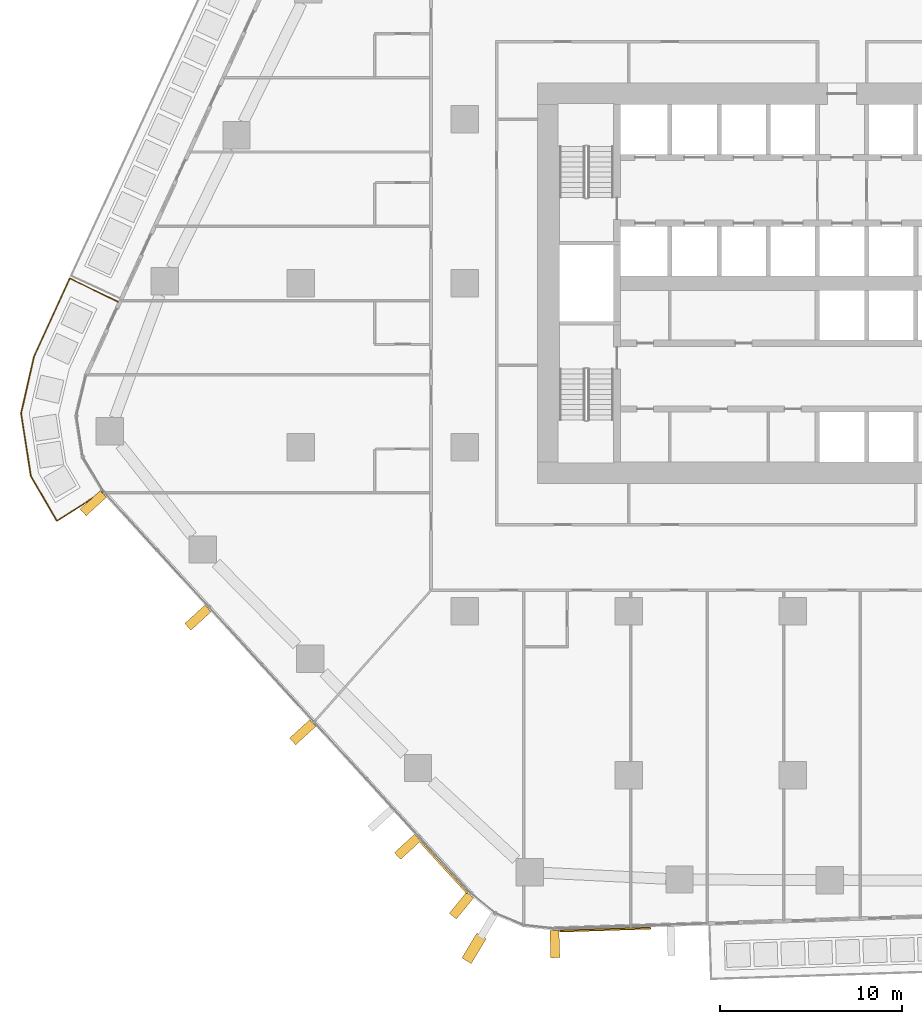
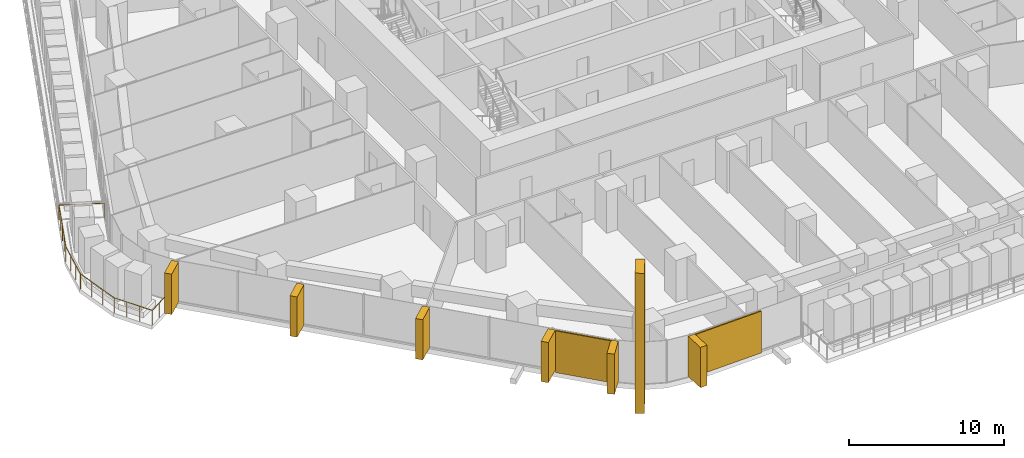
# One storey, part 21 of 27: 9 coverings, 1 railing, 3 elements without a shape of their own.
"""IFC4 building model written with IfcOpenShell, lengths in metres."""

from ifc_helpers import new_model, si_unit, direction, frame, origin, origin_2d, place, context, subcontext, project, spatial, rectangle, circle, extrude, material, layer, layer_set, material_profile, profile_set, type_object, element, aggregate, save


model = new_model("IFC4")

# Units and contexts
model_context = context("Model", 3, precision=1e-05, world=origin(), true_north=direction((0.0, 1.0)))
body_context = subcontext(model_context, "Body", "Model", "MODEL_VIEW")
ifc_project = project(units=[si_unit("LENGTHUNIT", "METRE"), si_unit("AREAUNIT", "SQUARE_METRE"), si_unit("VOLUMEUNIT", "CUBIC_METRE"), si_unit("PLANEANGLEUNIT", "RADIAN"), si_unit("MASSUNIT", "GRAM", prefix="KILO")], contexts=[model_context])

# Site, building, storey
site_placement = place(None, origin())
site = spatial("IfcSite", under=ifc_project, at=site_placement, CompositionType="ELEMENT")
building_placement = place(site_placement, origin())
building = spatial("IfcBuilding", under=site, at=building_placement, Name="Dongbaek Canopy Tower", CompositionType="ELEMENT")
storey_placement = place(building_placement, frame((0.0, 0.0, 55.10009765625)))
storey = spatial("IfcBuildingStorey", under=building, at=storey_placement, Name="L09", CompositionType="ELEMENT", Elevation=55.10009765625)

# Railing
ifc_material_1 = material(Name="Stainless steel", Category="steel")
railing_type = type_object("IfcRailingType", Name="Balcony balustrade 1200", PredefinedType="BALUSTRADE", material=ifc_material_1)
railing_placement = place(storey_placement, frame((-37.02880859375, -1.014892578125, 0.0)))
element("IfcRailing", 1, at=railing_placement, inside=storey, type_object=railing_type, Name="Balcony guard L09 7", PredefinedType="BALUSTRADE", context=body_context, shape_type="SweptSolid", body=[
    extrude(circle(Radius=0.02392578125, at=origin_2d()), frame((0.0, 0.0, 1.17578125), z_axis=(-0.899320695069, 0.437289706511, 0.0), x_axis=(-0.437289706511, -0.899320695069, 0.0)), (0.0, 0.0, 1.0), 2.940673828125),
    extrude(circle(Radius=0.02392578125, at=origin_2d()), frame((-2.64453125, 1.285888671875, 1.17578125), z_axis=(-0.41610370078, -0.909317166998, 0.0), x_axis=(0.909317166998, -0.41610370078, 0.0)), (0.0, 0.0, 1.0), 4.730224609375),
    extrude(circle(Radius=0.02392578125, at=origin_2d()), frame((-4.61279296875, -3.015380859375, 1.17578125), z_axis=(-0.221660802124, -0.975123832547, 0.0), x_axis=(0.975123832547, -0.221660802124, 0.0)), (0.0, 0.0, 1.0), 3.189697265625),
    extrude(circle(Radius=0.02392578125, at=origin_2d()), frame((-5.31982421875, -6.125732421875, 1.17578125), z_axis=(0.153789358191, -0.988103655143, 0.0), x_axis=(0.988103655143, 0.153789358191, 0.0)), (0.0, 0.0, 1.0), 3.473388671875),
    extrude(circle(Radius=0.02392578125, at=origin_2d()), frame((-4.78564453125, -9.557861328125, 1.17578125), z_axis=(0.50190634113, -0.864921976096, 0.0), x_axis=(0.864921976096, 0.50190634113, 0.0)), (0.0, 0.0, 1.0), 2.852783203125),
    extrude(circle(Radius=0.02392578125, at=origin_2d()), frame((-3.353759765625, -12.025390625, 1.17578125), z_axis=(0.844146612953, 0.536112391053, 0.0), x_axis=(-0.536112391053, 0.844146612953, 0.0)), (0.0, 0.0, 1.0), 2.9404296875),
    extrude(circle(Radius=0.02099609375, at=origin_2d()), origin(), (0.0, 0.0, 1.0), 1.15185546875),
    extrude(circle(Radius=0.02099609375, at=origin_2d()), frame((-0.881591796875, 0.4287109375, 0.0)), (0.0, 0.0, 1.0), 1.15185546875),
    extrude(circle(Radius=0.02099609375, at=origin_2d()), frame((-1.762939453125, 0.857177734375, 0.0)), (0.0, 0.0, 1.0), 1.15185546875),
    extrude(circle(Radius=0.02099609375, at=origin_2d()), frame((-2.64453125, 1.285888671875, 0.0)), (0.0, 0.0, 1.0), 1.15185546875),
    extrude(circle(Radius=0.02099609375, at=origin_2d()), frame((-3.13671875, 0.21044921875, 0.0)), (0.0, 0.0, 1.0), 1.15185546875),
    extrude(circle(Radius=0.02099609375, at=origin_2d()), frame((-3.628662109375, -0.86474609375, 0.0)), (0.0, 0.0, 1.0), 1.15185546875),
    extrude(circle(Radius=0.02099609375, at=origin_2d()), frame((-4.12060546875, -1.93994140625, 0.0)), (0.0, 0.0, 1.0), 1.15185546875),
    extrude(circle(Radius=0.02099609375, at=origin_2d()), frame((-4.61279296875, -3.015380859375, 0.0)), (0.0, 0.0, 1.0), 1.15185546875),
    extrude(circle(Radius=0.02099609375, at=origin_2d()), frame((-4.848388671875, -4.05224609375, 0.0)), (0.0, 0.0, 1.0), 1.15185546875),
    extrude(circle(Radius=0.02099609375, at=origin_2d()), frame((-5.084228515625, -5.0888671875, 0.0)), (0.0, 0.0, 1.0), 1.15185546875),
    extrude(circle(Radius=0.02099609375, at=origin_2d()), frame((-5.31982421875, -6.125732421875, 0.0)), (0.0, 0.0, 1.0), 1.15185546875),
    extrude(circle(Radius=0.02099609375, at=origin_2d()), frame((-5.141845703125, -7.269775390625, 0.0)), (0.0, 0.0, 1.0), 1.15185546875),
    extrude(circle(Radius=0.02099609375, at=origin_2d()), frame((-4.963623046875, -8.413818359375, 0.0)), (0.0, 0.0, 1.0), 1.15185546875),
    extrude(circle(Radius=0.02099609375, at=origin_2d()), frame((-4.78564453125, -9.557861328125, 0.0)), (0.0, 0.0, 1.0), 1.15185546875),
    extrude(circle(Radius=0.02099609375, at=origin_2d()), frame((-4.308349609375, -10.38037109375, 0.0)), (0.0, 0.0, 1.0), 1.15185546875),
    extrude(circle(Radius=0.02099609375, at=origin_2d()), frame((-3.8310546875, -11.202880859375, 0.0)), (0.0, 0.0, 1.0), 1.15185546875),
    extrude(circle(Radius=0.02099609375, at=origin_2d()), frame((-3.353759765625, -12.025390625, 0.0)), (0.0, 0.0, 1.0), 1.15185546875),
    extrude(circle(Radius=0.02099609375, at=origin_2d()), frame((-2.5263671875, -11.5, 0.0)), (0.0, 0.0, 1.0), 1.15185546875),
    extrude(circle(Radius=0.02099609375, at=origin_2d()), frame((-1.698974609375, -10.974365234375, 0.0)), (0.0, 0.0, 1.0), 1.15185546875),
    extrude(circle(Radius=0.02099609375, at=origin_2d()), frame((-0.87158203125, -10.448974609375, 0.0)), (0.0, 0.0, 1.0), 1.15185546875),
])

# Curtain wall, covering
ifc_material_2 = material(Name="Aluminium 6063-T6 pale anodised", Category="aluminium")
ifc_layer_1 = layer(ifc_material_2, 0.199951171875)
ifc_layer_set_1 = layer_set([ifc_layer_1], Name="CW-1 unitised tower curtain wall")
curtain_wall_type = type_object("IfcCurtainWallType", Name="CW-1 unitised tower curtain wall", PredefinedType="NOTDEFINED", material=ifc_layer_set_1)
curtain_wall_1_placement = place(storey_placement, origin())
curtain_wall_1 = element("IfcCurtainWall", 2, at=curtain_wall_1_placement, inside=storey, type_object=curtain_wall_type, Name="CW-1 curtain wall K4.1", PredefinedType="NOTDEFINED")
ifc_material_3 = material(Name="Aluminium 6063-T6 pale metal fin", Category="aluminium")
ifc_material_profile_1 = material_profile(ifc_material_3, rectangle(XDim=1.60009765625, YDim=0.60009765625, at=origin_2d()), Name="Corner fin CN1 600 x 1600 pale metal")
ifc_profile_set_1 = profile_set([ifc_material_profile_1], Name="Aluminium 6063-T6 pale metal fin")
covering_type_1 = type_object("IfcCoveringType", Name="Corner fin CN1 600 x 1600 pale metal", PredefinedType="CLADDING", material=ifc_profile_set_1)
covering_1_placement = place(storey_placement, frame((-17.493408203125, -36.49365234375, -0.2001953125), z_axis=(0.0, 0.0, 1.0), x_axis=(-0.516170126701, -0.856486077121, 0.0)))
covering_1 = element("IfcCovering", 3, at=covering_1_placement, type_object=covering_type_1, Name="Corner fin L09 L11 K4", PredefinedType="CLADDING", context=body_context, shape_type="SweptSolid", body=[
    extrude(rectangle(XDim=1.60009765625, YDim=0.60009765625, at=origin_2d()), origin(), (0.0, 0.0, 1.0), 11.080078125),
])

curtain_wall_2_placement = place(storey_placement, origin())
curtain_wall_2 = element("IfcCurtainWall", 4, at=curtain_wall_2_placement, inside=storey, type_object=curtain_wall_type, Name="CW-1 curtain wall F3.1", PredefinedType="NOTDEFINED")
ifc_material_4 = material(Name="Perforated aluminium 6063-T6 pale metal screen", Category="aluminium")
ifc_layer_2 = layer(ifc_material_4, 0.10009765625)
ifc_layer_set_2 = layer_set([ifc_layer_2], Name="Facet screen FS1 100 pale metal")
covering_type_2 = type_object("IfcCoveringType", Name="Facet screen FS1 100 pale metal", PredefinedType="CLADDING", material=ifc_layer_set_2)
covering_2_placement = place(storey_placement, frame((-19.14697265625, -32.064697265625, 0.0), z_axis=(0.0, 0.0, 1.0), x_axis=(0.674959432699, -0.737854839525, 0.0)))
covering_2 = element("IfcCovering", 5, at=covering_2_placement, type_object=covering_type_2, Name="Facet screen L09 F3", PredefinedType="CLADDING", context=body_context, shape_type="SweptSolid", body=[
    extrude(rectangle(XDim=3.794921875, YDim=0.10009765625, at=origin_2d()), origin(), (0.0, 0.0, 1.0), 3.300048828125),
])

curtain_wall_3_placement = place(storey_placement, origin())
curtain_wall_3 = element("IfcCurtainWall", 6, at=curtain_wall_3_placement, inside=storey, type_object=curtain_wall_type, Name="CW-1 curtain wall F4.1", PredefinedType="NOTDEFINED")
covering_3_placement = place(storey_placement, frame((-10.301513671875, -35.465087890625, 0.0), z_axis=(0.0, 0.0, 1.0), x_axis=(0.999466983225, 0.032645818153, 0.0)))
covering_3 = element("IfcCovering", 7, at=covering_3_placement, type_object=covering_type_2, Name="Facet screen L09 F4", PredefinedType="CLADDING", context=body_context, shape_type="SweptSolid", body=[
    extrude(rectangle(XDim=4.98388671875, YDim=0.10009765625, at=origin_2d()), origin(), (0.0, 0.0, 1.0), 3.300048828125),
])

# Covering
ifc_material_5 = material(Name="Aluminium 6063-T6 pale metal fin", Category="aluminium")
ifc_material_profile_2 = material_profile(ifc_material_5, rectangle(XDim=1.5, YDim=0.5, at=origin_2d()), Name="Fin FN1 500 x 1500 pale metal")
ifc_profile_set_2 = profile_set([ifc_material_profile_2], Name="Aluminium 6063-T6 pale metal fin")
covering_type_3 = type_object("IfcCoveringType", Name="Fin FN1 500 x 1500 pale metal", PredefinedType="CLADDING", material=ifc_profile_set_2)
covering_4_placement = place(storey_placement, frame((-38.39013671875, -12.0712890625, 0.119873046875), z_axis=(0.0, 0.0, 1.0), x_axis=(-0.737854848702, -0.674959422667, 0.0)))
covering_4 = element("IfcCovering", 8, at=covering_4_placement, type_object=covering_type_3, Name="Fin F3.1.1", PredefinedType="CLADDING", context=body_context, shape_type="SweptSolid", body=[
    extrude(rectangle(XDim=1.5, YDim=0.5, at=origin_2d()), origin(), (0.0, 0.0, 1.0), 3.179931640625),
])

covering_5_placement = place(storey_placement, frame((-32.645263671875, -18.351318359375, 0.119873046875), z_axis=(0.0, 0.0, 1.0), x_axis=(-0.737854848702, -0.674959422667, 0.0)))
covering_5 = element("IfcCovering", 9, at=covering_5_placement, type_object=covering_type_3, Name="Fin F3.1.3", PredefinedType="CLADDING", context=body_context, shape_type="SweptSolid", body=[
    extrude(rectangle(XDim=1.5, YDim=0.5, at=origin_2d()), origin(), (0.0, 0.0, 1.0), 3.179931640625),
])

covering_6_placement = place(storey_placement, frame((-26.89404296875, -24.638427734375, 0.119873046875), z_axis=(0.0, 0.0, 1.0), x_axis=(-0.737854848702, -0.674959422667, 0.0)))
covering_6 = element("IfcCovering", 10, at=covering_6_placement, type_object=covering_type_3, Name="Fin F3.1.5", PredefinedType="CLADDING", context=body_context, shape_type="SweptSolid", body=[
    extrude(rectangle(XDim=1.5, YDim=0.5, at=origin_2d()), origin(), (0.0, 0.0, 1.0), 3.179931640625),
])

covering_7_placement = place(storey_placement, frame((-21.142822265625, -30.92578125, 0.119873046875), z_axis=(0.0, 0.0, 1.0), x_axis=(-0.737854848702, -0.674959422667, 0.0)))
covering_7 = element("IfcCovering", 11, at=covering_7_placement, type_object=covering_type_3, Name="Fin F3.1.7", PredefinedType="CLADDING", context=body_context, shape_type="SweptSolid", body=[
    extrude(rectangle(XDim=1.5, YDim=0.5, at=origin_2d()), origin(), (0.0, 0.0, 1.0), 3.179931640625),
])

aggregate(curtain_wall_2, [covering_4, covering_5, covering_6, covering_7, covering_2])

covering_8_placement = place(storey_placement, frame((-18.183349609375, -34.14794921875, 0.119873046875), z_axis=(0.0, 0.0, 1.0), x_axis=(-0.633547920813, -0.773703452256, 0.0)))
covering_8 = element("IfcCovering", 12, at=covering_8_placement, type_object=covering_type_3, Name="Fin K4.1.1", PredefinedType="CLADDING", context=body_context, shape_type="SweptSolid", body=[
    extrude(rectangle(XDim=1.5, YDim=0.5, at=origin_2d()), origin(), (0.0, 0.0, 1.0), 3.179931640625),
])

aggregate(curtain_wall_1, [covering_8, covering_1])

covering_9_placement = place(storey_placement, frame((-13.05908203125, -36.259521484375, 0.119873046875), z_axis=(0.0, 0.0, 1.0), x_axis=(0.032645591573, -0.999466990626, 0.0)))
covering_9 = element("IfcCovering", 13, at=covering_9_placement, type_object=covering_type_3, Name="Fin F4.1.1", PredefinedType="CLADDING", context=body_context, shape_type="SweptSolid", body=[
    extrude(rectangle(XDim=1.5, YDim=0.5, at=origin_2d()), origin(), (0.0, 0.0, 1.0), 3.179931640625),
])

aggregate(curtain_wall_3, [covering_9, covering_3])

save(model, "model.ifc")
